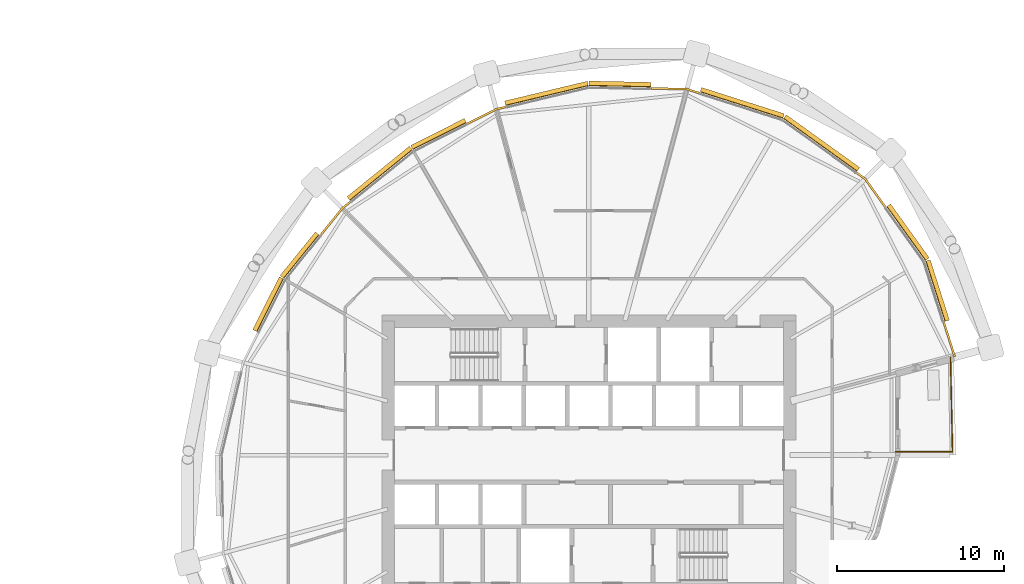
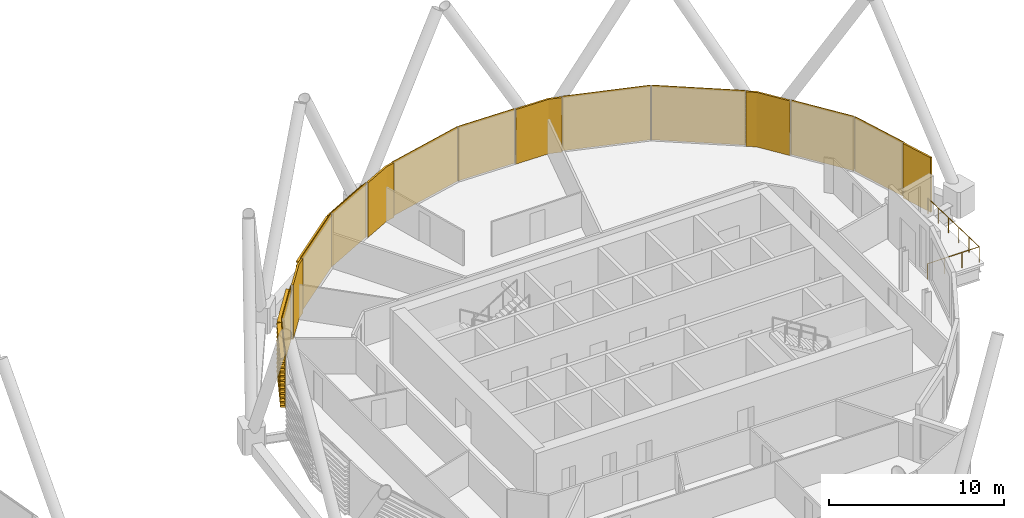
# One storey, part 37 of 38: 15 coverings, 1 railing.
"""IFC4 building model written with IfcOpenShell, lengths in metres."""

import ifcopenshell
import ifcopenshell.guid

model = None  # the IFC model being written
_history = None  # IfcOwnerHistory: only IFC2X3 demands one
_inside = {}  # id of a spatial element -> (the spatial element, [elements in it])
_under = {}  # id of a project, library or spatial element -> (it, [spatial elements below it])
_declared = {}  # id of a project -> (the project, [libraries it declares])
_typed = {}  # id of a type object -> (the type object, [elements of that type])
_made_of = {}  # id of a material, layer set ... -> (it, [elements and type objects made of it])


def new_model(schema):
    """Start an empty IFC model of exactly this schema.

    Asked for "IFC4X3", IfcOpenShell would pick the latest addendum, in which some entities
    have other attributes; the version numbers below select the first issue.
    IFC2X3 requires an IfcOwnerHistory on every rooted entity: one is made here for all.
    """
    global model, _history
    if schema == "IFC4X3":
        model = ifcopenshell.file(schema_version=(4, 3, 0, 0))
    else:
        model = ifcopenshell.file(schema=schema)
    _inside.clear()
    _under.clear()
    _declared.clear()
    _typed.clear()
    _made_of.clear()
    _history = None
    if model.schema == "IFC2X3":
        org = make("IfcOrganization", Name="unknown")
        user = make(
            "IfcPersonAndOrganization",
            ThePerson=make("IfcPerson", FamilyName="unknown"),
            TheOrganization=org,
        )
        app = make(
            "IfcApplication",
            ApplicationDeveloper=org,
            Version="unknown",
            ApplicationFullName="unknown",
            ApplicationIdentifier="unknown",
        )
        _history = make(
            "IfcOwnerHistory",
            OwningUser=user,
            OwningApplication=app,
            ChangeAction="ADDED",
            CreationDate=0,
        )
    return model


def make(cls, **values):
    """One entity of the class cls with the attributes given. An attribute that is None is left unset."""
    return model.create_entity(
        cls, **{name: value for name, value in values.items() if value is not None}
    )


def rooted(cls, **values):
    """An entity with a GlobalId (a new one), such as an element, a storey or a relation."""
    return make(cls, GlobalId=ifcopenshell.guid.new(), OwnerHistory=_history, **values)


def si_unit(unit_type, name, prefix=None):
    """IfcSIUnit, for example si_unit("LENGTHUNIT", "METRE", prefix="MILLI")."""
    return make("IfcSIUnit", UnitType=unit_type, Prefix=prefix, Name=name)


def assignment(units):
    """IfcUnitAssignment: the units of a project."""
    return None if units is None else make("IfcUnitAssignment", Units=units)


def point(xyz):
    """IfcCartesianPoint."""
    return None if xyz is None else make("IfcCartesianPoint", Coordinates=xyz)


def direction(xyz):
    """IfcDirection."""
    return None if xyz is None else make("IfcDirection", DirectionRatios=xyz)


def frame(location, z_axis=None, x_axis=None):
    """IfcAxis2Placement3D, a coordinate frame: its origin and axes. An axis left out is left unset."""
    return make(
        "IfcAxis2Placement3D",
        Location=point(location),
        Axis=direction(z_axis),
        RefDirection=direction(x_axis),
    )


def frame_2d(location, x_axis=None):
    """IfcAxis2Placement2D, a coordinate frame in the plane: its origin and x axis."""
    return make(
        "IfcAxis2Placement2D", Location=point(location), RefDirection=direction(x_axis)
    )


def origin():
    """The frame at (0, 0, 0) with its axes left unset."""
    return frame((0.0, 0.0, 0.0))


def origin_2d():
    """The frame at (0, 0) in the plane with its x axis left unset."""
    return frame_2d((0.0, 0.0))


def place(relative_to, where):
    """IfcLocalPlacement: puts the frame where relative to a parent placement (None: the world)."""
    return make(
        "IfcLocalPlacement", PlacementRelTo=relative_to, RelativePlacement=where
    )


def context(
    kind, dimensions, precision=None, world=None, true_north=None, identifier=None
):
    """IfcGeometricRepresentationContext, for example the 3D "Model" context."""
    return make(
        "IfcGeometricRepresentationContext",
        ContextIdentifier=identifier,
        ContextType=kind,
        CoordinateSpaceDimension=dimensions,
        Precision=precision,
        WorldCoordinateSystem=world,
        TrueNorth=true_north,
    )


def subcontext(parent, identifier, kind, view, scale=None):
    """IfcGeometricRepresentationSubContext, for example "Body" below "Model"."""
    return make(
        "IfcGeometricRepresentationSubContext",
        ContextIdentifier=identifier,
        ContextType=kind,
        ParentContext=parent,
        TargetScale=scale,
        TargetView=view,
    )


def project(units=None, contexts=None):
    """IfcProject with its units and contexts."""
    return rooted(
        "IfcProject",
        Name="project",
        RepresentationContexts=contexts,
        UnitsInContext=assignment(units),
    )


def spatial(cls, under=None, at=None, **own):
    """A site, building, storey or space (cls), placed at a placement, below another one or the project."""
    s = rooted(cls, ObjectPlacement=at, **own)
    if under is not None:
        _under.setdefault(under.id(), (under, []))[1].append(s)
    return s


def polyline(points):
    """IfcPolyline through the points."""
    return make("IfcPolyline", Points=[point(p) for p in points])


def profile(cls, at=None, kind="AREA", **sizes):
    """A parametric profile (cls). Its sizes go by their IFC names, for example OverallWidth=200.0."""
    return make(cls, ProfileType=kind, Position=at, **sizes)


def circle(**sizes):
    """IfcCircleProfileDef."""
    return profile("IfcCircleProfileDef", **sizes)


def outline(outer, holes=None, kind="AREA"):
    """IfcArbitraryClosedProfileDef: a profile drawn as a closed curve; with holes, ...WithVoids."""
    if holes is None:
        return make("IfcArbitraryClosedProfileDef", ProfileType=kind, OuterCurve=outer)
    return make(
        "IfcArbitraryProfileDefWithVoids",
        ProfileType=kind,
        OuterCurve=outer,
        InnerCurves=holes,
    )


def extrude(swept, where, along, depth):
    """IfcExtrudedAreaSolid: the profile swept, set in the frame where, extruded along a direction by depth."""
    return make(
        "IfcExtrudedAreaSolid",
        SweptArea=swept,
        Position=where,
        ExtrudedDirection=direction(along),
        Depth=depth,
    )


def shape(context_of_items, identifier, shape_type, items):
    """IfcShapeRepresentation: the items that make up one representation, for example the "Body"."""
    return make(
        "IfcShapeRepresentation",
        ContextOfItems=context_of_items,
        RepresentationIdentifier=identifier,
        RepresentationType=shape_type,
        Items=items,
    )


def material(Name=None, Category=None):
    """IfcMaterial."""
    return make("IfcMaterial", Name=Name, Category=Category)


def layer(
    of_material, thickness, ventilated=None, Name=None, Category=None, Priority=None
):
    """IfcMaterialLayer: one layer of a wall or slab, of a material (None: an air gap)."""
    return make(
        "IfcMaterialLayer",
        Material=of_material,
        LayerThickness=thickness,
        IsVentilated=ventilated,
        Name=Name,
        Category=Category,
        Priority=Priority,
    )


def layer_set(layers, Name=None):
    """IfcMaterialLayerSet."""
    return make("IfcMaterialLayerSet", MaterialLayers=layers, LayerSetName=Name)


def material_profile(
    of_material, cross_section, Name=None, Category=None, Priority=None
):
    """IfcMaterialProfile: a cross section and its material."""
    return make(
        "IfcMaterialProfile",
        Name=Name,
        Material=of_material,
        Profile=cross_section,
        Priority=Priority,
        Category=Category,
    )


def profile_set(profiles, Name=None, composite=None):
    """IfcMaterialProfileSet."""
    return make(
        "IfcMaterialProfileSet",
        Name=Name,
        MaterialProfiles=profiles,
        CompositeProfile=composite,
    )


def made_of(thing, what):
    """Note that an element or type object is made of a material, layer set ...; save() writes the relation."""
    if what is not None:
        _made_of.setdefault(what.id(), (what, []))[1].append(thing)
    return thing


def type_object(cls, material=None, **own):
    """A type object (cls), such as IfcWallType, which elements share."""
    return made_of(rooted(cls, **own), material)


def element(
    cls,
    number,
    at=None,
    inside=None,
    cuts=None,
    type_object=None,
    material=None,
    context=None,
    identifier="Body",
    shape_type=None,
    held_by="IfcProductDefinitionShape",
    body=None,
    shapes=None,
    **own,
):
    """One element of the class cls, such as IfcWall. Its Tag is "e" and its number.

    at: its placement. inside: the storey or other place that contains it. cuts: it is an
    opening in that element (IfcRelVoidsElement). A single representation is given by context,
    identifier, shape_type and body (its items); several are given by shapes. held_by: the class
    of the entity that holds the representations. save() writes the other relations.
    """
    e = rooted(cls, Tag="e%d" % number, ObjectPlacement=at, **own)
    if body is not None:
        shapes = [shape(context, identifier, shape_type, body)]
    if shapes is not None:
        e.Representation = make(held_by, Representations=shapes)
    if inside is not None:
        _inside.setdefault(inside.id(), (inside, []))[1].append(e)
    if cuts is not None:
        rooted(
            "IfcRelVoidsElement", RelatingBuildingElement=cuts, RelatedOpeningElement=e
        )
    if type_object is not None:
        _typed.setdefault(type_object.id(), (type_object, []))[1].append(e)
    return made_of(e, material)


def aggregate(whole, parts):
    """IfcRelAggregates: a whole, such as a stair, and the parts it consists of."""
    return rooted("IfcRelAggregates", RelatingObject=whole, RelatedObjects=parts)


def save(model, path):
    """Write the relations noted so far, then the file.

    IfcRelAggregates (storeys below a building ...), IfcRelContainedInSpatialStructure (elements
    in a storey), IfcRelDefinesByType, IfcRelAssociatesMaterial and IfcRelDeclares: one each for
    every whole, place, type object, material and project.
    """
    for whole, parts in _under.values():
        aggregate(whole, parts)
    for where, things in _inside.values():
        rooted(
            "IfcRelContainedInSpatialStructure",
            RelatedElements=things,
            RelatingStructure=where,
        )
    for kind, things in _typed.values():
        rooted("IfcRelDefinesByType", RelatedObjects=things, RelatingType=kind)
    for what, things in _made_of.values():
        rooted("IfcRelAssociatesMaterial", RelatedObjects=things, RelatingMaterial=what)
    for by, libraries in _declared.values():
        rooted("IfcRelDeclares", RelatingContext=by, RelatedDefinitions=libraries)
    model.write(path)


model = new_model("IFC4")

# Units and contexts
model_context = context("Model", 3, precision=1e-05, world=origin(), true_north=direction((0.0, 1.0)))
body_context = subcontext(model_context, "Body", "Model", "MODEL_VIEW")
ifc_project = project(units=[si_unit("LENGTHUNIT", "METRE"), si_unit("AREAUNIT", "SQUARE_METRE"), si_unit("VOLUMEUNIT", "CUBIC_METRE"), si_unit("PLANEANGLEUNIT", "RADIAN"), si_unit("MASSUNIT", "GRAM", prefix="KILO")], contexts=[model_context])

# Site, building, storey
site_placement = place(None, origin())
site = spatial("IfcSite", under=ifc_project, at=site_placement, CompositionType="ELEMENT")
building_placement = place(site_placement, origin())
building = spatial("IfcBuilding", under=site, at=building_placement, Name="Rimbun Link Towers", CompositionType="ELEMENT")
storey_placement = place(building_placement, frame((0.0, 0.0, 104.39990234375)))
storey = spatial("IfcBuildingStorey", under=building, at=storey_placement, Name="L25", CompositionType="ELEMENT", Elevation=104.39990234375)

# Railing
ifc_material_1 = material(Name="Stainless steel grade 316", Category="steel")
railing_type = type_object("IfcRailingType", Name="GUARD stainless rail and posts", PredefinedType="GUARDRAIL", material=ifc_material_1)
railing_placement = place(storey_placement, frame((50.07958984375, 0.199951171875, 0.0)))
element("IfcRailing", 1, at=railing_placement, inside=storey, type_object=railing_type, Name="GUARD", PredefinedType="GUARDRAIL", context=body_context, shape_type="SweptSolid", body=[
    extrude(circle(Radius=0.02392578125, at=origin_2d()), frame((0.0, 0.0, 1.076171875), z_axis=(1.0, 0.0, 0.0), x_axis=(0.0, 1.0, 0.0)), (0.0, 0.0, 1.0), 3.395751953125),
    extrude(circle(Radius=0.02392578125, at=origin_2d()), frame((3.395751953125, 0.0, 1.076171875), z_axis=(-0.021080304006, 0.999777785702, 0.0), x_axis=(-0.999777785702, -0.021080304006, 0.0)), (0.0, 0.0, 1.0), 5.64013671875),
    extrude(circle(Radius=0.02099609375, at=origin_2d()), origin(), (0.0, 0.0, 1.0), 1.052001953125),
    extrude(circle(Radius=0.02099609375, at=origin_2d()), frame((1.1318359375, 0.0, 0.0)), (0.0, 0.0, 1.0), 1.052001953125),
    extrude(circle(Radius=0.02099609375, at=origin_2d()), frame((2.263916015625, 0.0, 0.0)), (0.0, 0.0, 1.0), 1.052001953125),
    extrude(circle(Radius=0.02099609375, at=origin_2d()), frame((3.395751953125, 0.0, 0.0)), (0.0, 0.0, 1.0), 1.052001953125),
    extrude(circle(Radius=0.02099609375, at=origin_2d()), frame((3.3720703125, 1.127685546875, 0.0)), (0.0, 0.0, 1.0), 1.052001953125),
    extrude(circle(Radius=0.02099609375, at=origin_2d()), frame((3.34814453125, 2.255615234375, 0.0)), (0.0, 0.0, 1.0), 1.052001953125),
    extrude(circle(Radius=0.02099609375, at=origin_2d()), frame((3.324462890625, 3.38330078125, 0.0)), (0.0, 0.0, 1.0), 1.052001953125),
    extrude(circle(Radius=0.02099609375, at=origin_2d()), frame((3.300537109375, 4.51123046875, 0.0)), (0.0, 0.0, 1.0), 1.052001953125),
    extrude(circle(Radius=0.02099609375, at=origin_2d()), frame((3.27685546875, 5.638916015625, 0.0)), (0.0, 0.0, 1.0), 1.052001953125),
])

# Coverings
ifc_material_2 = material(Name="Terracotta", Category="masonry")
ifc_layer = layer(ifc_material_2, 0.1201171875)
ifc_layer_set = layer_set([ifc_layer], Name="LINK PIER terracotta cladding 120")
covering_type_1 = type_object("IfcCoveringType", Name="LINK PIER terracotta cladding 120", PredefinedType="CLADDING", material=ifc_layer_set)
covering_1_placement = place(storey_placement, origin())
element("IfcCovering", 2, at=covering_1_placement, inside=storey, type_object=covering_type_1, Name="LINK PIER cladding", PredefinedType="CLADDING", context=body_context, shape_type="SweptSolid", body=[
    extrude(outline(polyline([(47.70947265625, 16.82470703125), (48.21337890625, 16.46337890625), (49.420166015625, 14.781494140625), (49.517578125, 14.8515625), (48.29931640625, 16.54931640625), (47.779541015625, 16.92236328125), (47.70947265625, 16.82470703125)])), origin(), (0.0, 0.0, 1.0), 3.800048828125),
])
covering_2_placement = place(storey_placement, origin())
element("IfcCovering", 3, at=covering_2_placement, inside=storey, type_object=covering_type_1, Name="LINK PIER cladding", PredefinedType="CLADDING", context=body_context, shape_type="SweptSolid", body=[
    extrude(outline(polyline([(35.473388671875, 21.85107421875), (37.593017578125, 21.806396484375), (38.326904296875, 21.5732421875), (38.363037109375, 21.6875), (37.61279296875, 21.926025390625), (35.47607421875, 21.97119140625), (35.473388671875, 21.85107421875)])), origin(), (0.0, 0.0, 1.0), 3.800048828125),
])
covering_3_placement = place(storey_placement, origin())
element("IfcCovering", 4, at=covering_3_placement, inside=storey, type_object=covering_type_1, Name="LINK PIER cladding", PredefinedType="CLADDING", context=body_context, shape_type="SweptSolid", body=[
    extrude(outline(polyline([(24.511962890625, 19.747314453125), (26.227783203125, 20.60888671875), (26.7822265625, 20.741455078125), (26.754150390625, 20.8583984375), (26.186279296875, 20.722412109375), (24.458251953125, 19.8544921875), (24.511962890625, 19.747314453125)])), origin(), (0.0, 0.0, 1.0), 3.800048828125),
])
covering_4_placement = place(storey_placement, origin())
element("IfcCovering", 5, at=covering_4_placement, inside=storey, type_object=covering_type_1, Name="LINK PIER cladding", PredefinedType="CLADDING", context=body_context, shape_type="SweptSolid", body=[
    extrude(outline(polyline([(15.748291015625, 13.09033203125), (17.050537109375, 14.699462890625), (17.532470703125, 15.08935546875), (17.45703125, 15.182861328125), (16.96533203125, 14.78466796875), (15.655029296875, 13.166015625), (15.748291015625, 13.09033203125)])), origin(), (0.0, 0.0, 1.0), 3.800048828125),
])
covering_5_placement = place(storey_placement, origin())
element("IfcCovering", 6, at=covering_5_placement, inside=storey, type_object=covering_type_1, Name="LINK PIER cladding", PredefinedType="CLADDING", context=body_context, shape_type="SweptSolid", body=[
    extrude(outline(polyline([(52.89892578125, 7.910888671875), (53.54736328125, 5.87158203125), (53.661865234375, 5.907958984375), (53.01318359375, 7.947265625), (52.89892578125, 7.910888671875)])), origin(), (0.0, 0.0, 1.0), 3.800048828125),
])
ifc_material_3 = material(Name="Terracotta", Category="masonry")
ifc_material_profile = material_profile(ifc_material_3, outline(polyline([(0.123046875, 0.0), (0.1630859375, 0.0), (0.1630859375, 0.10009765625), (0.423095703125, 0.10009765625), (0.423095703125, 0.219970703125), (0.1630859375, 0.219970703125), (0.1630859375, 0.39990234375), (0.423095703125, 0.39990234375), (0.423095703125, 0.52001953125), (0.1630859375, 0.52001953125), (0.1630859375, 0.699951171875), (0.423095703125, 0.699951171875), (0.423095703125, 0.820068359375), (0.1630859375, 0.820068359375), (0.1630859375, 1.0), (0.423095703125, 1.0), (0.423095703125, 1.1201171875), (0.1630859375, 1.1201171875), (0.1630859375, 1.300048828125), (0.423095703125, 1.300048828125), (0.423095703125, 1.419921875), (0.1630859375, 1.419921875), (0.1630859375, 1.60009765625), (0.423095703125, 1.60009765625), (0.423095703125, 1.719970703125), (0.1630859375, 1.719970703125), (0.1630859375, 1.89990234375), (0.423095703125, 1.89990234375), (0.423095703125, 2.02001953125), (0.1630859375, 2.02001953125), (0.1630859375, 2.199951171875), (0.423095703125, 2.199951171875), (0.423095703125, 2.320068359375), (0.1630859375, 2.320068359375), (0.1630859375, 2.5), (0.423095703125, 2.5), (0.423095703125, 2.6201171875), (0.1630859375, 2.6201171875), (0.1630859375, 2.800048828125), (0.423095703125, 2.800048828125), (0.423095703125, 2.919921875), (0.1630859375, 2.919921875), (0.1630859375, 3.10009765625), (0.423095703125, 3.10009765625), (0.423095703125, 3.219970703125), (0.1630859375, 3.219970703125), (0.1630859375, 3.39990234375), (0.423095703125, 3.39990234375), (0.423095703125, 3.52001953125), (0.1630859375, 3.52001953125), (0.1630859375, 3.800048828125), (0.123046875, 3.800048828125), (0.123046875, 0.0)])), Name="BAGUETTE 120X300")
ifc_profile_set = profile_set([ifc_material_profile], Name="Terracotta")
covering_type_2 = type_object("IfcCoveringType", Name="TERRACOTTA BAGUETTE 120X300 H3800", PredefinedType="CLADDING", material=ifc_profile_set)
covering_6_placement = place(storey_placement, frame((43.29345703125, 19.99365234375, 0.0), z_axis=(0.812477325977, -0.582992791356, 0.0), x_axis=(0.582992791356, 0.812477325977, 0.0)))
element("IfcCovering", 7, at=covering_6_placement, inside=storey, type_object=covering_type_2, Name="TERRACOTTA BAGUETTE", PredefinedType="CLADDING", context=body_context, shape_type="SweptSolid", body=[
    extrude(outline(polyline([(0.123046875, 0.0), (0.1630859375, 0.0), (0.1630859375, 0.10009765625), (0.423095703125, 0.10009765625), (0.423095703125, 0.219970703125), (0.1630859375, 0.219970703125), (0.1630859375, 0.39990234375), (0.423095703125, 0.39990234375), (0.423095703125, 0.52001953125), (0.1630859375, 0.52001953125), (0.1630859375, 0.699951171875), (0.423095703125, 0.699951171875), (0.423095703125, 0.820068359375), (0.1630859375, 0.820068359375), (0.1630859375, 1.0), (0.423095703125, 1.0), (0.423095703125, 1.1201171875), (0.1630859375, 1.1201171875), (0.1630859375, 1.300048828125), (0.423095703125, 1.300048828125), (0.423095703125, 1.419921875), (0.1630859375, 1.419921875), (0.1630859375, 1.60009765625), (0.423095703125, 1.60009765625), (0.423095703125, 1.719970703125), (0.1630859375, 1.719970703125), (0.1630859375, 1.89990234375), (0.423095703125, 1.89990234375), (0.423095703125, 2.02001953125), (0.1630859375, 2.02001953125), (0.1630859375, 2.199951171875), (0.423095703125, 2.199951171875), (0.423095703125, 2.320068359375), (0.1630859375, 2.320068359375), (0.1630859375, 2.5), (0.423095703125, 2.5), (0.423095703125, 2.6201171875), (0.1630859375, 2.6201171875), (0.1630859375, 2.800048828125), (0.423095703125, 2.800048828125), (0.423095703125, 2.919921875), (0.1630859375, 2.919921875), (0.1630859375, 3.10009765625), (0.423095703125, 3.10009765625), (0.423095703125, 3.219970703125), (0.1630859375, 3.219970703125), (0.1630859375, 3.39990234375), (0.423095703125, 3.39990234375), (0.423095703125, 3.52001953125), (0.1630859375, 3.52001953125), (0.1630859375, 3.800048828125), (0.123046875, 3.800048828125), (0.123046875, 0.0)])), origin(), (0.0, 0.0, 1.0), 5.405517578125),
])
covering_7_placement = place(storey_placement, frame((38.35546875, 21.56396484375, 0.0), z_axis=(0.952974033405, -0.303051961973, 0.0), x_axis=(0.303051961973, 0.952974033405, 0.0)))
element("IfcCovering", 8, at=covering_7_placement, inside=storey, type_object=covering_type_2, Name="TERRACOTTA BAGUETTE", PredefinedType="CLADDING", context=body_context, shape_type="SweptSolid", body=[
    extrude(outline(polyline([(0.123046875, 0.0), (0.1630859375, 0.0), (0.1630859375, 0.10009765625), (0.423095703125, 0.10009765625), (0.423095703125, 0.219970703125), (0.1630859375, 0.219970703125), (0.1630859375, 0.39990234375), (0.423095703125, 0.39990234375), (0.423095703125, 0.52001953125), (0.1630859375, 0.52001953125), (0.1630859375, 0.699951171875), (0.423095703125, 0.699951171875), (0.423095703125, 0.820068359375), (0.1630859375, 0.820068359375), (0.1630859375, 1.0), (0.423095703125, 1.0), (0.423095703125, 1.1201171875), (0.1630859375, 1.1201171875), (0.1630859375, 1.300048828125), (0.423095703125, 1.300048828125), (0.423095703125, 1.419921875), (0.1630859375, 1.419921875), (0.1630859375, 1.60009765625), (0.423095703125, 1.60009765625), (0.423095703125, 1.719970703125), (0.1630859375, 1.719970703125), (0.1630859375, 1.89990234375), (0.423095703125, 1.89990234375), (0.423095703125, 2.02001953125), (0.1630859375, 2.02001953125), (0.1630859375, 2.199951171875), (0.423095703125, 2.199951171875), (0.423095703125, 2.320068359375), (0.1630859375, 2.320068359375), (0.1630859375, 2.5), (0.423095703125, 2.5), (0.423095703125, 2.6201171875), (0.1630859375, 2.6201171875), (0.1630859375, 2.800048828125), (0.423095703125, 2.800048828125), (0.423095703125, 2.919921875), (0.1630859375, 2.919921875), (0.1630859375, 3.10009765625), (0.423095703125, 3.10009765625), (0.423095703125, 3.219970703125), (0.1630859375, 3.219970703125), (0.1630859375, 3.39990234375), (0.423095703125, 3.39990234375), (0.423095703125, 3.52001953125), (0.1630859375, 3.52001953125), (0.1630859375, 3.800048828125), (0.123046875, 3.800048828125), (0.123046875, 0.0)])), origin(), (0.0, 0.0, 1.0), 5.181640625),
])
covering_8_placement = place(storey_placement, frame((31.75, 21.9296875, 0.0), z_axis=(0.999777749096, -0.021082040056, 0.0), x_axis=(0.021082040056, 0.999777749096, 0.0)))
element("IfcCovering", 9, at=covering_8_placement, inside=storey, type_object=covering_type_2, Name="TERRACOTTA BAGUETTE", PredefinedType="CLADDING", context=body_context, shape_type="SweptSolid", body=[
    extrude(outline(polyline([(0.123046875, 0.0), (0.1630859375, 0.0), (0.1630859375, 0.10009765625), (0.423095703125, 0.10009765625), (0.423095703125, 0.219970703125), (0.1630859375, 0.219970703125), (0.1630859375, 0.39990234375), (0.423095703125, 0.39990234375), (0.423095703125, 0.52001953125), (0.1630859375, 0.52001953125), (0.1630859375, 0.699951171875), (0.423095703125, 0.699951171875), (0.423095703125, 0.820068359375), (0.1630859375, 0.820068359375), (0.1630859375, 1.0), (0.423095703125, 1.0), (0.423095703125, 1.1201171875), (0.1630859375, 1.1201171875), (0.1630859375, 1.300048828125), (0.423095703125, 1.300048828125), (0.423095703125, 1.419921875), (0.1630859375, 1.419921875), (0.1630859375, 1.60009765625), (0.423095703125, 1.60009765625), (0.423095703125, 1.719970703125), (0.1630859375, 1.719970703125), (0.1630859375, 1.89990234375), (0.423095703125, 1.89990234375), (0.423095703125, 2.02001953125), (0.1630859375, 2.02001953125), (0.1630859375, 2.199951171875), (0.423095703125, 2.199951171875), (0.423095703125, 2.320068359375), (0.1630859375, 2.320068359375), (0.1630859375, 2.5), (0.423095703125, 2.5), (0.423095703125, 2.6201171875), (0.1630859375, 2.6201171875), (0.1630859375, 2.800048828125), (0.423095703125, 2.800048828125), (0.423095703125, 2.919921875), (0.1630859375, 2.919921875), (0.1630859375, 3.10009765625), (0.423095703125, 3.10009765625), (0.423095703125, 3.219970703125), (0.1630859375, 3.219970703125), (0.1630859375, 3.39990234375), (0.423095703125, 3.39990234375), (0.423095703125, 3.52001953125), (0.1630859375, 3.52001953125), (0.1630859375, 3.800048828125), (0.123046875, 3.800048828125), (0.123046875, 0.0)])), origin(), (0.0, 0.0, 1.0), 3.694091796875),
])
covering_9_placement = place(storey_placement, frame((26.811279296875, 20.74853515625, 0.0), z_axis=(0.972572035212, 0.232601883749, 0.0), x_axis=(-0.232601883749, 0.972572035212, 0.0)))
element("IfcCovering", 10, at=covering_9_placement, inside=storey, type_object=covering_type_2, Name="TERRACOTTA BAGUETTE", PredefinedType="CLADDING", context=body_context, shape_type="SweptSolid", body=[
    extrude(outline(polyline([(0.123046875, 0.0), (0.1630859375, 0.0), (0.1630859375, 0.10009765625), (0.423095703125, 0.10009765625), (0.423095703125, 0.219970703125), (0.1630859375, 0.219970703125), (0.1630859375, 0.39990234375), (0.423095703125, 0.39990234375), (0.423095703125, 0.52001953125), (0.1630859375, 0.52001953125), (0.1630859375, 0.699951171875), (0.423095703125, 0.699951171875), (0.423095703125, 0.820068359375), (0.1630859375, 0.820068359375), (0.1630859375, 1.0), (0.423095703125, 1.0), (0.423095703125, 1.1201171875), (0.1630859375, 1.1201171875), (0.1630859375, 1.300048828125), (0.423095703125, 1.300048828125), (0.423095703125, 1.419921875), (0.1630859375, 1.419921875), (0.1630859375, 1.60009765625), (0.423095703125, 1.60009765625), (0.423095703125, 1.719970703125), (0.1630859375, 1.719970703125), (0.1630859375, 1.89990234375), (0.423095703125, 1.89990234375), (0.423095703125, 2.02001953125), (0.1630859375, 2.02001953125), (0.1630859375, 2.199951171875), (0.423095703125, 2.199951171875), (0.423095703125, 2.320068359375), (0.1630859375, 2.320068359375), (0.1630859375, 2.5), (0.423095703125, 2.5), (0.423095703125, 2.6201171875), (0.1630859375, 2.6201171875), (0.1630859375, 2.800048828125), (0.423095703125, 2.800048828125), (0.423095703125, 2.919921875), (0.1630859375, 2.919921875), (0.1630859375, 3.10009765625), (0.423095703125, 3.10009765625), (0.423095703125, 3.219970703125), (0.1630859375, 3.219970703125), (0.1630859375, 3.39990234375), (0.423095703125, 3.39990234375), (0.423095703125, 3.52001953125), (0.1630859375, 3.52001953125), (0.1630859375, 3.800048828125), (0.123046875, 3.800048828125), (0.123046875, 0.0)])), origin(), (0.0, 0.0, 1.0), 5.077880859375),
])
covering_10_placement = place(storey_placement, frame((21.28466796875, 18.12646484375, 0.0), z_axis=(0.89362135543, 0.448821649565, 0.0), x_axis=(-0.448821649565, 0.89362135543, 0.0)))
element("IfcCovering", 11, at=covering_10_placement, inside=storey, type_object=covering_type_2, Name="TERRACOTTA BAGUETTE", PredefinedType="CLADDING", context=body_context, shape_type="SweptSolid", body=[
    extrude(outline(polyline([(0.123046875, 0.0), (0.1630859375, 0.0), (0.1630859375, 0.10009765625), (0.423095703125, 0.10009765625), (0.423095703125, 0.219970703125), (0.1630859375, 0.219970703125), (0.1630859375, 0.39990234375), (0.423095703125, 0.39990234375), (0.423095703125, 0.52001953125), (0.1630859375, 0.52001953125), (0.1630859375, 0.699951171875), (0.423095703125, 0.699951171875), (0.423095703125, 0.820068359375), (0.1630859375, 0.820068359375), (0.1630859375, 1.0), (0.423095703125, 1.0), (0.423095703125, 1.1201171875), (0.1630859375, 1.1201171875), (0.1630859375, 1.300048828125), (0.423095703125, 1.300048828125), (0.423095703125, 1.419921875), (0.1630859375, 1.419921875), (0.1630859375, 1.60009765625), (0.423095703125, 1.60009765625), (0.423095703125, 1.719970703125), (0.1630859375, 1.719970703125), (0.1630859375, 1.89990234375), (0.423095703125, 1.89990234375), (0.423095703125, 2.02001953125), (0.1630859375, 2.02001953125), (0.1630859375, 2.199951171875), (0.423095703125, 2.199951171875), (0.423095703125, 2.320068359375), (0.1630859375, 2.320068359375), (0.1630859375, 2.5), (0.423095703125, 2.5), (0.423095703125, 2.6201171875), (0.1630859375, 2.6201171875), (0.1630859375, 2.800048828125), (0.423095703125, 2.800048828125), (0.423095703125, 2.919921875), (0.1630859375, 2.919921875), (0.1630859375, 3.10009765625), (0.423095703125, 3.10009765625), (0.423095703125, 3.219970703125), (0.1630859375, 3.219970703125), (0.1630859375, 3.39990234375), (0.423095703125, 3.39990234375), (0.423095703125, 3.52001953125), (0.1630859375, 3.52001953125), (0.1630859375, 3.800048828125), (0.123046875, 3.800048828125), (0.123046875, 0.0)])), origin(), (0.0, 0.0, 1.0), 3.58154296875),
])
covering_11_placement = place(storey_placement, frame((17.555908203125, 15.1083984375, 0.0), z_axis=(0.777291090746, 0.629141129038, 0.0), x_axis=(-0.629141129038, 0.777291090746, 0.0)))
element("IfcCovering", 12, at=covering_11_placement, inside=storey, type_object=covering_type_2, Name="TERRACOTTA BAGUETTE", PredefinedType="CLADDING", context=body_context, shape_type="SweptSolid", body=[
    extrude(outline(polyline([(0.123046875, 0.0), (0.1630859375, 0.0), (0.1630859375, 0.10009765625), (0.423095703125, 0.10009765625), (0.423095703125, 0.219970703125), (0.1630859375, 0.219970703125), (0.1630859375, 0.39990234375), (0.423095703125, 0.39990234375), (0.423095703125, 0.52001953125), (0.1630859375, 0.52001953125), (0.1630859375, 0.699951171875), (0.423095703125, 0.699951171875), (0.423095703125, 0.820068359375), (0.1630859375, 0.820068359375), (0.1630859375, 1.0), (0.423095703125, 1.0), (0.423095703125, 1.1201171875), (0.1630859375, 1.1201171875), (0.1630859375, 1.300048828125), (0.423095703125, 1.300048828125), (0.423095703125, 1.419921875), (0.1630859375, 1.419921875), (0.1630859375, 1.60009765625), (0.423095703125, 1.60009765625), (0.423095703125, 1.719970703125), (0.1630859375, 1.719970703125), (0.1630859375, 1.89990234375), (0.423095703125, 1.89990234375), (0.423095703125, 2.02001953125), (0.1630859375, 2.02001953125), (0.1630859375, 2.199951171875), (0.423095703125, 2.199951171875), (0.423095703125, 2.320068359375), (0.1630859375, 2.320068359375), (0.1630859375, 2.5), (0.423095703125, 2.5), (0.423095703125, 2.6201171875), (0.1630859375, 2.6201171875), (0.1630859375, 2.800048828125), (0.423095703125, 2.800048828125), (0.423095703125, 2.919921875), (0.1630859375, 2.919921875), (0.1630859375, 3.10009765625), (0.423095703125, 3.10009765625), (0.423095703125, 3.219970703125), (0.1630859375, 3.219970703125), (0.1630859375, 3.39990234375), (0.423095703125, 3.39990234375), (0.423095703125, 3.52001953125), (0.1630859375, 3.52001953125), (0.1630859375, 3.800048828125), (0.123046875, 3.800048828125), (0.123046875, 0.0)])), origin(), (0.0, 0.0, 1.0), 4.797119140625),
])
covering_12_placement = place(storey_placement, frame((13.62353515625, 10.46533203125, 0.0), z_axis=(0.629149969491, 0.77728393518, 0.0), x_axis=(-0.77728393518, 0.629149969491, 0.0)))
element("IfcCovering", 13, at=covering_12_placement, inside=storey, type_object=covering_type_2, Name="TERRACOTTA BAGUETTE", PredefinedType="CLADDING", context=body_context, shape_type="SweptSolid", body=[
    extrude(outline(polyline([(0.123046875, 0.0), (0.1630859375, 0.0), (0.1630859375, 0.10009765625), (0.423095703125, 0.10009765625), (0.423095703125, 0.219970703125), (0.1630859375, 0.219970703125), (0.1630859375, 0.39990234375), (0.423095703125, 0.39990234375), (0.423095703125, 0.52001953125), (0.1630859375, 0.52001953125), (0.1630859375, 0.699951171875), (0.423095703125, 0.699951171875), (0.423095703125, 0.820068359375), (0.1630859375, 0.820068359375), (0.1630859375, 1.0), (0.423095703125, 1.0), (0.423095703125, 1.1201171875), (0.1630859375, 1.1201171875), (0.1630859375, 1.300048828125), (0.423095703125, 1.300048828125), (0.423095703125, 1.419921875), (0.1630859375, 1.419921875), (0.1630859375, 1.60009765625), (0.423095703125, 1.60009765625), (0.423095703125, 1.719970703125), (0.1630859375, 1.719970703125), (0.1630859375, 1.89990234375), (0.423095703125, 1.89990234375), (0.423095703125, 2.02001953125), (0.1630859375, 2.02001953125), (0.1630859375, 2.199951171875), (0.423095703125, 2.199951171875), (0.423095703125, 2.320068359375), (0.1630859375, 2.320068359375), (0.1630859375, 2.5), (0.423095703125, 2.5), (0.423095703125, 2.6201171875), (0.1630859375, 2.6201171875), (0.1630859375, 2.800048828125), (0.423095703125, 2.800048828125), (0.423095703125, 2.919921875), (0.1630859375, 2.919921875), (0.1630859375, 3.10009765625), (0.423095703125, 3.10009765625), (0.423095703125, 3.219970703125), (0.1630859375, 3.219970703125), (0.1630859375, 3.39990234375), (0.423095703125, 3.39990234375), (0.423095703125, 3.52001953125), (0.1630859375, 3.52001953125), (0.1630859375, 3.800048828125), (0.123046875, 3.800048828125), (0.123046875, 0.0)])), origin(), (0.0, 0.0, 1.0), 3.347412109375),
])
covering_13_placement = place(storey_placement, frame((12.03857421875, 7.3095703125, 0.0), z_axis=(0.448816781163, 0.893623800571, 0.0), x_axis=(-0.893623800571, 0.448816781163, 0.0)))
element("IfcCovering", 14, at=covering_13_placement, inside=storey, type_object=covering_type_2, Name="TERRACOTTA BAGUETTE", PredefinedType="CLADDING", context=body_context, shape_type="SweptSolid", body=[
    extrude(outline(polyline([(0.123046875, 0.0), (0.1630859375, 0.0), (0.1630859375, 0.10009765625), (0.423095703125, 0.10009765625), (0.423095703125, 0.219970703125), (0.1630859375, 0.219970703125), (0.1630859375, 0.39990234375), (0.423095703125, 0.39990234375), (0.423095703125, 0.52001953125), (0.1630859375, 0.52001953125), (0.1630859375, 0.699951171875), (0.423095703125, 0.699951171875), (0.423095703125, 0.820068359375), (0.1630859375, 0.820068359375), (0.1630859375, 1.0), (0.423095703125, 1.0), (0.423095703125, 1.1201171875), (0.1630859375, 1.1201171875), (0.1630859375, 1.300048828125), (0.423095703125, 1.300048828125), (0.423095703125, 1.419921875), (0.1630859375, 1.419921875), (0.1630859375, 1.60009765625), (0.423095703125, 1.60009765625), (0.423095703125, 1.719970703125), (0.1630859375, 1.719970703125), (0.1630859375, 1.89990234375), (0.423095703125, 1.89990234375), (0.423095703125, 2.02001953125), (0.1630859375, 2.02001953125), (0.1630859375, 2.199951171875), (0.423095703125, 2.199951171875), (0.423095703125, 2.320068359375), (0.1630859375, 2.320068359375), (0.1630859375, 2.5), (0.423095703125, 2.5), (0.423095703125, 2.6201171875), (0.1630859375, 2.6201171875), (0.1630859375, 2.800048828125), (0.423095703125, 2.800048828125), (0.423095703125, 2.919921875), (0.1630859375, 2.919921875), (0.1630859375, 3.10009765625), (0.423095703125, 3.10009765625), (0.423095703125, 3.219970703125), (0.1630859375, 3.219970703125), (0.1630859375, 3.39990234375), (0.423095703125, 3.39990234375), (0.423095703125, 3.52001953125), (0.1630859375, 3.52001953125), (0.1630859375, 3.800048828125), (0.123046875, 3.800048828125), (0.123046875, 0.0)])), origin(), (0.0, 0.0, 1.0), 3.531494140625),
])
covering_14_placement = place(storey_placement, frame((51.74365234375, 11.54345703125, 0.0), z_axis=(0.303086414115, -0.952963076713, 0.0), x_axis=(0.952963076713, 0.303086414115, 0.0)))
element("IfcCovering", 15, at=covering_14_placement, inside=storey, type_object=covering_type_2, Name="TERRACOTTA BAGUETTE", PredefinedType="CLADDING", context=body_context, shape_type="SweptSolid", body=[
    extrude(outline(polyline([(0.123046875, 0.0), (0.1630859375, 0.0), (0.1630859375, 0.10009765625), (0.423095703125, 0.10009765625), (0.423095703125, 0.219970703125), (0.1630859375, 0.219970703125), (0.1630859375, 0.39990234375), (0.423095703125, 0.39990234375), (0.423095703125, 0.52001953125), (0.1630859375, 0.52001953125), (0.1630859375, 0.699951171875), (0.423095703125, 0.699951171875), (0.423095703125, 0.820068359375), (0.1630859375, 0.820068359375), (0.1630859375, 1.0), (0.423095703125, 1.0), (0.423095703125, 1.1201171875), (0.1630859375, 1.1201171875), (0.1630859375, 1.300048828125), (0.423095703125, 1.300048828125), (0.423095703125, 1.419921875), (0.1630859375, 1.419921875), (0.1630859375, 1.60009765625), (0.423095703125, 1.60009765625), (0.423095703125, 1.719970703125), (0.1630859375, 1.719970703125), (0.1630859375, 1.89990234375), (0.423095703125, 1.89990234375), (0.423095703125, 2.02001953125), (0.1630859375, 2.02001953125), (0.1630859375, 2.199951171875), (0.423095703125, 2.199951171875), (0.423095703125, 2.320068359375), (0.1630859375, 2.320068359375), (0.1630859375, 2.5), (0.423095703125, 2.5), (0.423095703125, 2.6201171875), (0.1630859375, 2.6201171875), (0.1630859375, 2.800048828125), (0.423095703125, 2.800048828125), (0.423095703125, 2.919921875), (0.1630859375, 2.919921875), (0.1630859375, 3.10009765625), (0.423095703125, 3.10009765625), (0.423095703125, 3.219970703125), (0.1630859375, 3.219970703125), (0.1630859375, 3.39990234375), (0.423095703125, 3.39990234375), (0.423095703125, 3.52001953125), (0.1630859375, 3.52001953125), (0.1630859375, 3.800048828125), (0.123046875, 3.800048828125), (0.123046875, 0.0)])), origin(), (0.0, 0.0, 1.0), 3.781982421875),
])
covering_15_placement = place(storey_placement, frame((49.4375, 14.757080078125, 0.0), z_axis=(0.583029233752, -0.812451175512, 0.0), x_axis=(0.812451175512, 0.583029233752, 0.0)))
element("IfcCovering", 16, at=covering_15_placement, inside=storey, type_object=covering_type_2, Name="TERRACOTTA BAGUETTE", PredefinedType="CLADDING", context=body_context, shape_type="SweptSolid", body=[
    extrude(outline(polyline([(0.123046875, 0.0), (0.1630859375, 0.0), (0.1630859375, 0.10009765625), (0.423095703125, 0.10009765625), (0.423095703125, 0.219970703125), (0.1630859375, 0.219970703125), (0.1630859375, 0.39990234375), (0.423095703125, 0.39990234375), (0.423095703125, 0.52001953125), (0.1630859375, 0.52001953125), (0.1630859375, 0.699951171875), (0.423095703125, 0.699951171875), (0.423095703125, 0.820068359375), (0.1630859375, 0.820068359375), (0.1630859375, 1.0), (0.423095703125, 1.0), (0.423095703125, 1.1201171875), (0.1630859375, 1.1201171875), (0.1630859375, 1.300048828125), (0.423095703125, 1.300048828125), (0.423095703125, 1.419921875), (0.1630859375, 1.419921875), (0.1630859375, 1.60009765625), (0.423095703125, 1.60009765625), (0.423095703125, 1.719970703125), (0.1630859375, 1.719970703125), (0.1630859375, 1.89990234375), (0.423095703125, 1.89990234375), (0.423095703125, 2.02001953125), (0.1630859375, 2.02001953125), (0.1630859375, 2.199951171875), (0.423095703125, 2.199951171875), (0.423095703125, 2.320068359375), (0.1630859375, 2.320068359375), (0.1630859375, 2.5), (0.423095703125, 2.5), (0.423095703125, 2.6201171875), (0.1630859375, 2.6201171875), (0.1630859375, 2.800048828125), (0.423095703125, 2.800048828125), (0.423095703125, 2.919921875), (0.1630859375, 2.919921875), (0.1630859375, 3.10009765625), (0.423095703125, 3.10009765625), (0.423095703125, 3.219970703125), (0.1630859375, 3.219970703125), (0.1630859375, 3.39990234375), (0.423095703125, 3.39990234375), (0.423095703125, 3.52001953125), (0.1630859375, 3.52001953125), (0.1630859375, 3.800048828125), (0.123046875, 3.800048828125), (0.123046875, 0.0)])), origin(), (0.0, 0.0, 1.0), 3.95556640625),
])

save(model, "model.ifc")
